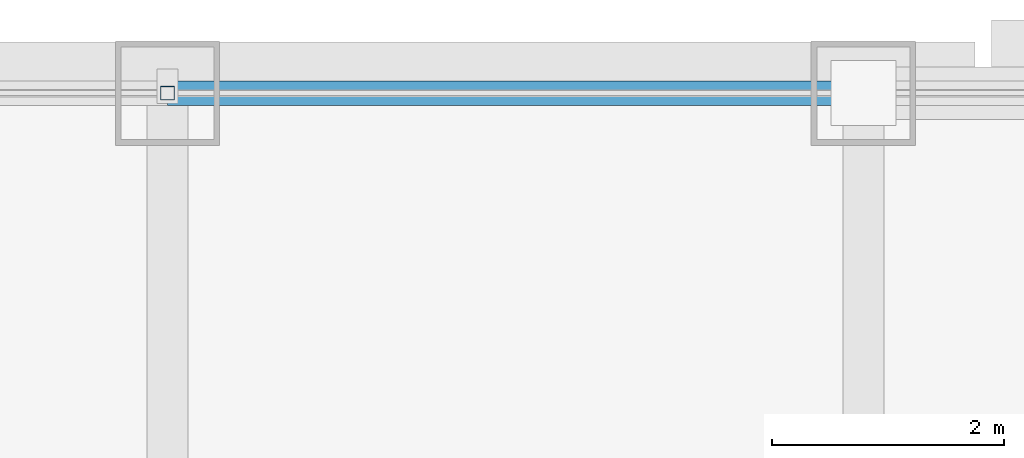
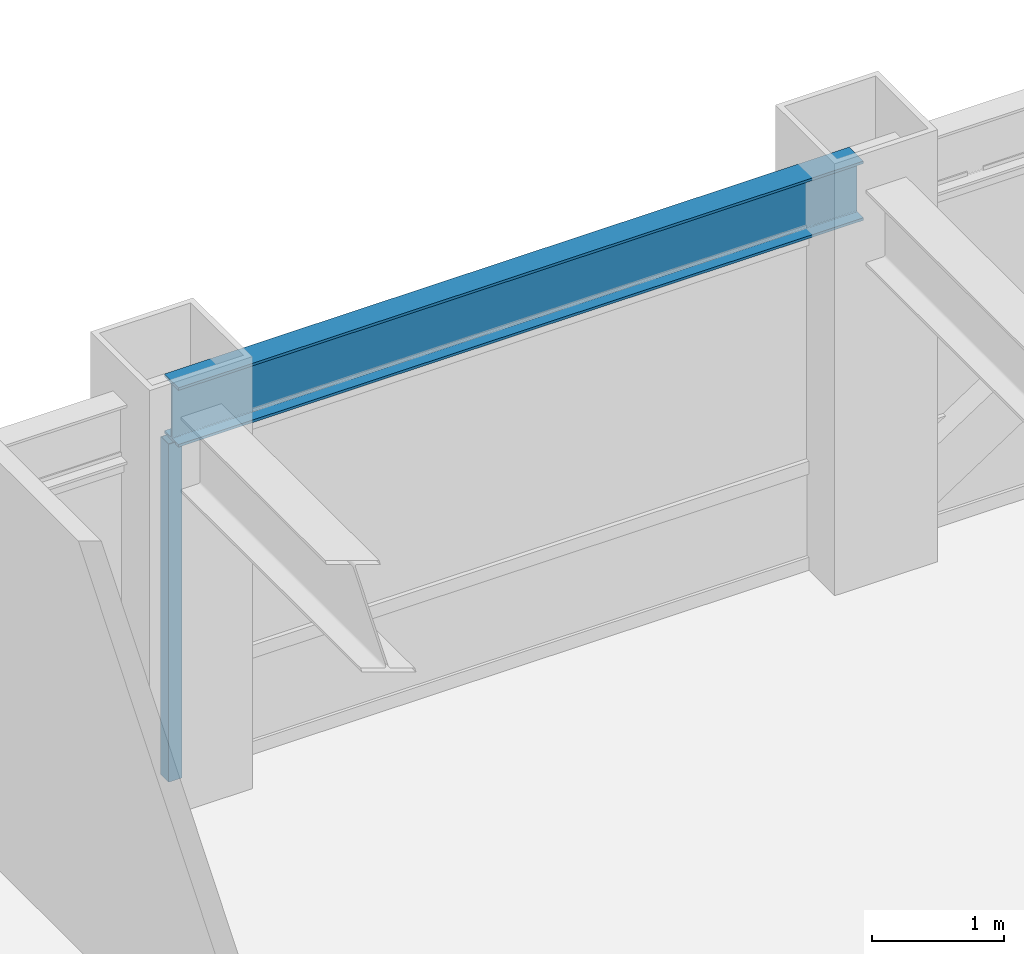
# One storey, part 14 of 27: 1 beam, 1 member, 1 element without a shape of its own.
"""IFC4 building model written with IfcOpenShell, lengths in metres."""

from ifc_helpers import new_model, si_unit, direction, frame, origin, origin_2d, place, context, subcontext, project, spatial, hollow_rectangle, i_section, extrude, source, transform, mapped, material, material_profile, profile_set, type_object, element, aggregate, save


model = new_model("IFC4")

# Units and contexts
model_context = context("Model", 3, precision=1e-05, world=origin(), true_north=direction((0.0, 1.0)))
body_context = subcontext(model_context, "Body", "Model", "MODEL_VIEW")
ifc_project = project(units=[si_unit("LENGTHUNIT", "METRE"), si_unit("AREAUNIT", "SQUARE_METRE"), si_unit("VOLUMEUNIT", "CUBIC_METRE"), si_unit("PLANEANGLEUNIT", "RADIAN"), si_unit("MASSUNIT", "GRAM", prefix="KILO")], contexts=[model_context])

# Site, building, storey
site_placement = place(None, origin())
site = spatial("IfcSite", under=ifc_project, at=site_placement, CompositionType="ELEMENT")
building_placement = place(site_placement, origin())
building = spatial("IfcBuilding", under=site, at=building_placement, Name="Khorayat Bourse Tower", CompositionType="ELEMENT")
storey_placement = place(building_placement, frame((0.0, 0.0, 317.5)))
storey = spatial("IfcBuildingStorey", under=building, at=storey_placement, Name="L75", CompositionType="ELEMENT", Elevation=317.5)

# Beam
ifc_material_1 = material(Name="Steel ASTM A992 Grade 50", Category="steel")
ifc_material_profile_1 = material_profile(ifc_material_1, i_section(OverallWidth=0.214111328125, OverallDepth=0.549072265625, WebThickness=0.0146484375, FlangeThickness=0.023681640625, FilletRadius=0.013916015625, at=origin_2d()), Name="W530X138")
ifc_profile_set_1 = profile_set([ifc_material_profile_1], Name="Steel ASTM A992 Grade 50")
beam_type = type_object("IfcBeamType", Name="BM-SPAN-530", PredefinedType="SPANDREL", material=ifc_profile_set_1)
shared_shape_1 = source(origin(), body_context, "Body", "SweptSolid", [
    extrude(i_section(OverallWidth=0.214111328125, OverallDepth=0.549072265625, WebThickness=0.0146484375, FlangeThickness=0.023681640625, FilletRadius=0.013916015625, at=origin_2d()), origin(), (0.0, 0.0, 1.0), 6.0),
])
beam_placement = place(storey_placement, frame((0.0, 28.0, 3.385498046875), z_axis=(1.0, 0.0, 0.0), x_axis=(0.0, 1.0, 0.0)))
element("IfcBeam", 1, at=beam_placement, inside=storey, type_object=beam_type, Name="L75 BM-SPAN-530 BM-L75-SPN-047", PredefinedType="SPANDREL", context=body_context, shape_type="MappedRepresentation", body=[
    mapped(shared_shape_1, transform((0.0, 0.0, 0.0), scale=1.0)),
])

# Curtain wall, member
ifc_material_2 = material(Name="Aluminium EN AW-6063 T6", Category="aluminium")
curtain_wall_type = type_object("IfcCurtainWallType", Name="CW-SYS-04", PredefinedType="NOTDEFINED", material=ifc_material_2)
curtain_wall_placement = place(storey_placement, origin())
curtain_wall = element("IfcCurtainWall", 2, at=curtain_wall_placement, inside=storey, type_object=curtain_wall_type, Name="L75 Curtain Wall CW-L75-N1", PredefinedType="NOTDEFINED")
ifc_material_profile_2 = material_profile(ifc_material_2, hollow_rectangle(XDim=0.1201171875, YDim=0.1201171875, WallThickness=0.0048828125, at=origin_2d()), Name="ALU 120x120x5")
ifc_profile_set_2 = profile_set([ifc_material_profile_2], Name="Aluminium EN AW-6063 T6")
member_type = type_object("IfcMemberType", Name="CWM-VERT-120", PredefinedType="MULLION", material=ifc_profile_set_2)
shared_shape_2 = source(origin(), body_context, "Body", "SweptSolid", [
    extrude(hollow_rectangle(XDim=0.1201171875, YDim=0.1201171875, WallThickness=0.0048828125, at=origin_2d()), origin(), (0.0, 0.0, 1.0), 3.1298828125),
])
member_placement = place(storey_placement, frame((0.0, 28.0, 0.0), z_axis=(0.0, 0.0, 1.0), x_axis=(0.0, 1.0, 0.0)))
member = element("IfcMember", 3, at=member_placement, type_object=member_type, Name="CW-L75-N1 Vertical Mullion 2", PredefinedType="MULLION", context=body_context, shape_type="MappedRepresentation", body=[
    mapped(shared_shape_2, transform((0.0, 0.0, 0.0), scale=1.0)),
])
aggregate(curtain_wall, [member])

save(model, "model.ifc")
